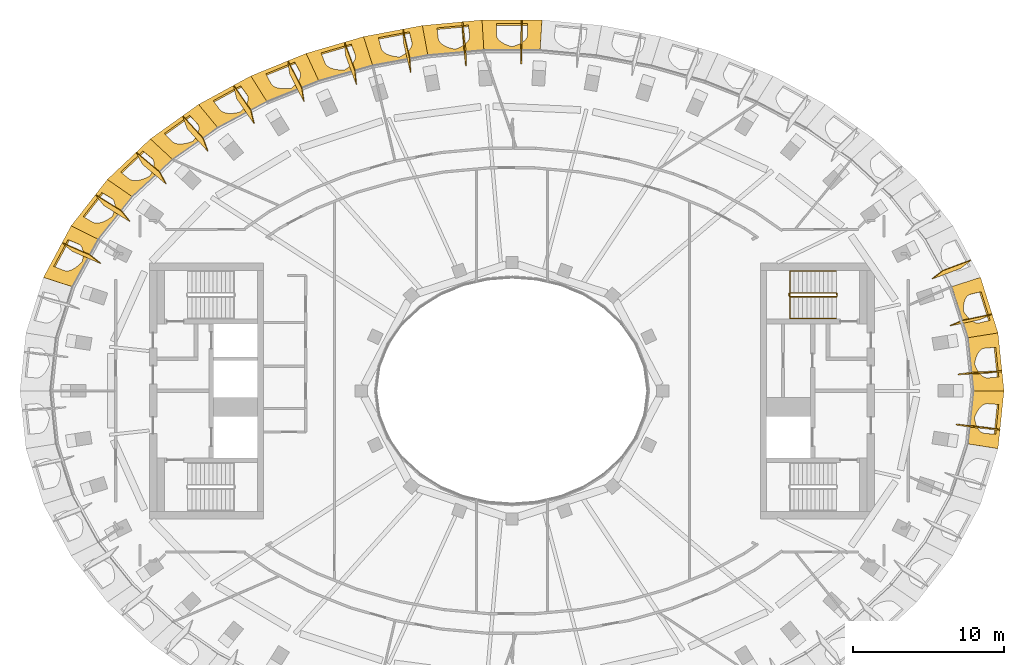
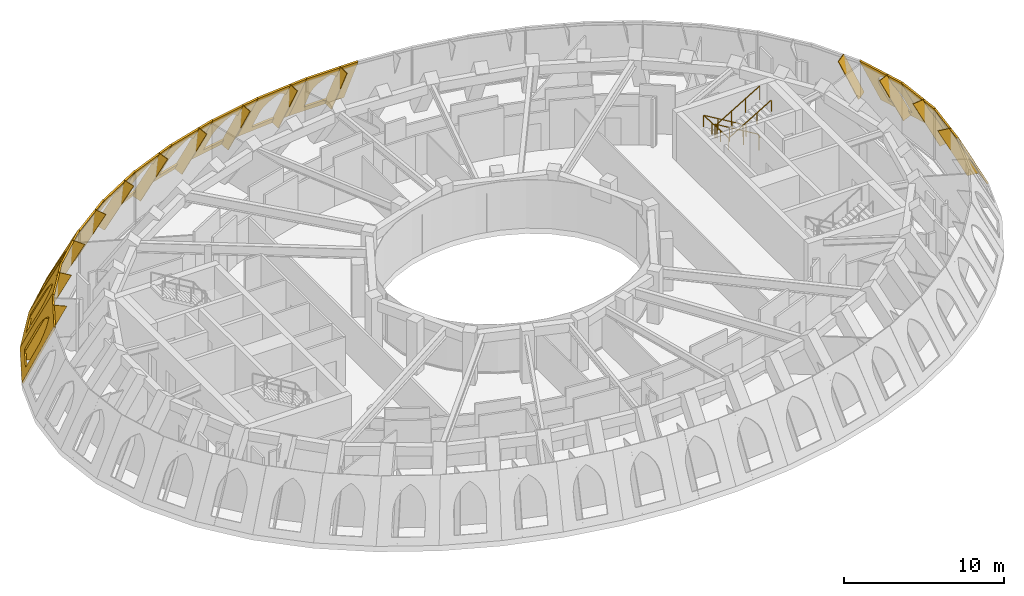
# One storey, part 12 of 13: 27 coverings, 2 railings.
"""IFC4 building model written with IfcOpenShell, lengths in metres."""

from ifc_helpers import new_model, si_unit, direction, frame, origin, origin_2d, place, context, subcontext, project, spatial, polyline, rectangle, outline, extrude, material, layer, layer_set, type_object, element, save


model = new_model("IFC4")

# Units and contexts
model_context = context("Model", 3, precision=1e-05, world=origin(), true_north=direction((0.0, 1.0)))
body_context = subcontext(model_context, "Body", "Model", "MODEL_VIEW")
ifc_project = project(units=[si_unit("LENGTHUNIT", "METRE"), si_unit("AREAUNIT", "SQUARE_METRE"), si_unit("VOLUMEUNIT", "CUBIC_METRE"), si_unit("PLANEANGLEUNIT", "RADIAN"), si_unit("MASSUNIT", "GRAM", prefix="KILO")], contexts=[model_context])

# Site, building, storey
site_placement = place(None, origin())
site = spatial("IfcSite", under=ifc_project, at=site_placement, CompositionType="ELEMENT")
building_placement = place(site_placement, origin())
building = spatial("IfcBuilding", under=site, at=building_placement, Name="Noorbagh Ring Tower", CompositionType="ELEMENT")
storey_placement = place(building_placement, frame((0.0, 0.0, 347.0)))
storey = spatial("IfcBuildingStorey", under=building, at=storey_placement, Name="L76", CompositionType="ELEMENT", Elevation=347.0)

# Railings
ifc_material_1 = material(Name="Stainless steel", Category="steel")
railing_type_1 = type_object("IfcRailingType", Name="CORE-STAIR-GUARD", PredefinedType="GUARDRAIL", material=ifc_material_1)
railing_1_placement = place(storey_placement, frame((21.580078125, 6.449951171875, 0.0)))
element("IfcRailing", 1, at=railing_1_placement, inside=storey, type_object=railing_type_1, Name="L76 ST3 stair guard", PredefinedType="GUARDRAIL", context=body_context, shape_type="SweptSolid", body=[
    extrude(rectangle(XDim=0.048095703125, YDim=0.048095703125, at=origin_2d()), frame((0.0, 0.0, 1.076171875), z_axis=(0.0, -1.0, 0.0), x_axis=(1.0, 0.0, 0.0)), (0.0, 0.0, 1.0), 0.14990234375),
    extrude(rectangle(XDim=0.048095703125, YDim=0.048095703125, at=origin_2d()), frame((0.0, -0.14990234375, 1.076171875), z_axis=(-0.188775798145, 0.754182335027, 0.628945707965), x_axis=(-0.970072785993, -0.242814311512, 0.0)), (0.0, 0.0, 1.0), 0.26513671875),
    extrude(rectangle(XDim=0.048095703125, YDim=0.048095703125, at=origin_2d()), frame((-0.050048828125, 0.050048828125, 1.24267578125), z_axis=(-0.859308565015, 0.0, 0.511457515432), x_axis=(0.0, -1.0, 0.0)), (0.0, 0.0, 1.0), 3.58447265625),
    extrude(rectangle(XDim=0.048095703125, YDim=0.048095703125, at=origin_2d()), frame((-3.130126953125, 0.050048828125, 3.076171875), z_axis=(-0.707106781187, -0.707106781187, 0.0), x_axis=(0.707106781187, -0.707106781187, 0.0)), (0.0, 0.0, 1.0), 0.07080078125),
    extrude(rectangle(XDim=0.048095703125, YDim=0.048095703125, at=origin_2d()), frame((-3.18017578125, 0.0, 3.076171875), z_axis=(0.0, -1.0, 0.0), x_axis=(1.0, 0.0, 0.0)), (0.0, 0.0, 1.0), 0.14990234375),
    extrude(rectangle(XDim=0.048095703125, YDim=0.048095703125, at=origin_2d()), frame((-3.18017578125, -0.14990234375, 3.076171875), z_axis=(0.27628659633, -0.27628659633, 0.920506074601), x_axis=(0.707106781187, 0.707106781187, 0.0)), (0.0, 0.0, 1.0), 0.18115234375),
    extrude(rectangle(XDim=0.048095703125, YDim=0.048095703125, at=origin_2d()), frame((-3.130126953125, -0.199951171875, 3.24267578125), z_axis=(0.859308565015, 0.0, 0.511457515432), x_axis=(0.0, 1.0, 0.0)), (0.0, 0.0, 1.0), 3.58447265625),
    extrude(rectangle(XDim=0.0419921875, YDim=0.0419921875, at=origin_2d()), origin(), (0.0, 0.0, 1.0), 1.052001953125),
    extrude(rectangle(XDim=0.0419921875, YDim=0.0419921875, at=origin_2d()), frame((-1.07666015625, 0.050048828125, 0.77783203125)), (0.0, 0.0, 1.0), 1.052001953125),
    extrude(rectangle(XDim=0.0419921875, YDim=0.0419921875, at=origin_2d()), frame((-2.103515625, 0.050048828125, 1.388916015625)), (0.0, 0.0, 1.0), 1.052001953125),
    extrude(rectangle(XDim=0.0419921875, YDim=0.0419921875, at=origin_2d()), frame((-3.130126953125, 0.050048828125, 2.0)), (0.0, 0.0, 1.0), 1.052001953125),
    extrude(rectangle(XDim=0.0419921875, YDim=0.0419921875, at=origin_2d()), frame((-3.130126953125, -0.199951171875, 2.166748046875)), (0.0, 0.0, 1.0), 1.052001953125),
    extrude(rectangle(XDim=0.0419921875, YDim=0.0419921875, at=origin_2d()), frame((-2.103515625, -0.199951171875, 2.77783203125)), (0.0, 0.0, 1.0), 1.052001953125),
    extrude(rectangle(XDim=0.0419921875, YDim=0.0419921875, at=origin_2d()), frame((-1.07666015625, -0.199951171875, 3.388916015625)), (0.0, 0.0, 1.0), 1.052001953125),
    extrude(rectangle(XDim=0.0419921875, YDim=0.0419921875, at=origin_2d()), frame((-0.050048828125, -0.199951171875, 4.0)), (0.0, 0.0, 1.0), 1.052001953125),
])
ifc_material_2 = material(Name="Stainless steel", Category="steel")
railing_type_2 = type_object("IfcRailingType", Name="CORE-STAIR-HANDRAIL", PredefinedType="HANDRAIL", material=ifc_material_2)
railing_2_placement = place(storey_placement, frame((21.530029296875, 7.949951171875, 0.166748046875)))
element("IfcRailing", 2, at=railing_2_placement, inside=storey, type_object=railing_type_2, Name="L76 ST3 stair handrail", PredefinedType="HANDRAIL", context=body_context, shape_type="SweptSolid", body=[
    extrude(rectangle(XDim=0.048095703125, YDim=0.048095703125, at=origin_2d()), frame((0.0, 0.0, 0.8759765625), z_axis=(-0.859308565015, 0.0, 0.511457515432), x_axis=(0.0, -1.0, 0.0)), (0.0, 0.0, 1.0), 3.58447265625),
    extrude(rectangle(XDim=0.048095703125, YDim=0.048095703125, at=origin_2d()), frame((-3.080078125, 0.0, 2.708984375), z_axis=(0.0, -0.998601747152, 0.052863509014), x_axis=(1.0, 0.0, 0.0)), (0.0, 0.0, 1.0), 3.154296875),
    extrude(rectangle(XDim=0.048095703125, YDim=0.048095703125, at=origin_2d()), frame((-3.080078125, -3.14990234375, 2.8759765625), z_axis=(0.859308565015, 0.0, 0.511457515432), x_axis=(0.0, 1.0, 0.0)), (0.0, 0.0, 1.0), 3.58447265625),
    extrude(rectangle(XDim=0.0419921875, YDim=0.0419921875, at=origin_2d()), origin(), (0.0, 0.0, 1.0), 0.851806640625),
    extrude(rectangle(XDim=0.0419921875, YDim=0.0419921875, at=origin_2d()), frame((-1.026611328125, 0.0, 0.611083984375)), (0.0, 0.0, 1.0), 0.851806640625),
    extrude(rectangle(XDim=0.0419921875, YDim=0.0419921875, at=origin_2d()), frame((-2.053466796875, 0.0, 1.22216796875)), (0.0, 0.0, 1.0), 0.851806640625),
    extrude(rectangle(XDim=0.0419921875, YDim=0.0419921875, at=origin_2d()), frame((-3.080078125, 0.0, 1.833251953125)), (0.0, 0.0, 1.0), 0.851806640625),
    extrude(rectangle(XDim=0.0419921875, YDim=0.0419921875, at=origin_2d()), frame((-3.080078125, -1.050048828125, 1.888916015625)), (0.0, 0.0, 1.0), 0.851806640625),
    extrude(rectangle(XDim=0.0419921875, YDim=0.0419921875, at=origin_2d()), frame((-3.080078125, -2.099853515625, 1.9443359375)), (0.0, 0.0, 1.0), 0.851806640625),
    extrude(rectangle(XDim=0.0419921875, YDim=0.0419921875, at=origin_2d()), frame((-3.080078125, -3.14990234375, 2.0)), (0.0, 0.0, 1.0), 0.851806640625),
    extrude(rectangle(XDim=0.0419921875, YDim=0.0419921875, at=origin_2d()), frame((-2.053466796875, -3.14990234375, 2.611083984375)), (0.0, 0.0, 1.0), 0.851806640625),
    extrude(rectangle(XDim=0.0419921875, YDim=0.0419921875, at=origin_2d()), frame((-1.026611328125, -3.14990234375, 3.22216796875)), (0.0, 0.0, 1.0), 0.851806640625),
    extrude(rectangle(XDim=0.0419921875, YDim=0.0419921875, at=origin_2d()), frame((0.0, -3.14990234375, 3.833251953125)), (0.0, 0.0, 1.0), 0.851806640625),
])

# Coverings
ifc_material_3 = material(Name="Aluminium 6063-T6 black anodised", Category="aluminium")
ifc_layer_1 = layer(ifc_material_3, 0.050048828125)
ifc_layer_set_1 = layer_set([ifc_layer_1], Name="Aluminium 6063-T6 black anodised")
covering_type_1 = type_object("IfcCoveringType", Name="STYLE-HEAD-FIN", PredefinedType="CLADDING", material=ifc_layer_set_1)
covering_1_placement = place(storey_placement, frame((32.52783203125, 1.279541015625, 0.0), z_axis=(0.128911329579, -0.99089570896, 0.038827349512), x_axis=(-0.448635865822, -0.023358188876, 0.89340934342)))
element("IfcCovering", 3, at=covering_1_placement, inside=storey, type_object=covering_type_1, Name="Fin rib F01 L76", ObjectType="FIN", PredefinedType="CLADDING", context=body_context, shape_type="SweptSolid", body=[
    extrude(outline(polyline([(0.0, 0.0), (4.478602590299864, 0.0), (4.881650097009732, 0.8045605100730973), (0.4030418040270383, 0.8045281394852348), (0.0, 0.0)])), origin(), (0.0, 0.0, -1.0), 0.050048828125),
])
covering_2_placement = place(storey_placement, frame((31.875244140625, 5.069091796875, 0.0), z_axis=(0.39159249421, -0.914930687955, 0.097760701289), x_axis=(-0.438846254761, -0.092323644473, 0.893806639802)))
element("IfcCovering", 4, at=covering_2_placement, inside=storey, type_object=covering_type_1, Name="Fin rib F02 L76", ObjectType="FIN", PredefinedType="CLADDING", context=body_context, shape_type="SweptSolid", body=[
    extrude(outline(polyline([(0.0, 0.0), (4.478506413757497, 0.0), (4.874287478667474, 0.8082416595063522), (0.3958036048622417, 0.8083375847722325), (0.0, 0.0)])), origin(), (0.0, 0.0, -1.0), 0.050048828125),
])
covering_3_placement = place(storey_placement, frame((30.488525390625, 8.670166015625, 0.0), z_axis=(0.604780825543, -0.782981166417, 0.145535721018), x_axis=(-0.419244163894, -0.157640928264, 0.894082584987)))
element("IfcCovering", 5, at=covering_3_placement, inside=storey, type_object=covering_type_1, Name="Fin rib F03 L76", ObjectType="FIN", PredefinedType="CLADDING", context=body_context, shape_type="SweptSolid", body=[
    extrude(outline(polyline([(0.0, 0.0), (4.478771237305574, 2.220446049250313e-16), (4.864049615591115, 0.8131934519856807), (0.38541921937249257, 0.8135056703559531), (0.0, 0.0)])), origin(), (0.0, 0.0, -1.0), 0.050048828125),
])
covering_4_placement = place(storey_placement, frame((0.6630859375, 24.61474609375, 0.0), z_axis=(0.999794258075, 0.012068586596, 0.01630308981), x_axis=(-0.009129706454, -0.449983821033, 0.892990038729)))
element("IfcCovering", 6, at=covering_4_placement, inside=storey, type_object=covering_type_1, Name="Fin rib F12 L76", ObjectType="FIN", PredefinedType="CLADDING", context=body_context, shape_type="SweptSolid", body=[
    extrude(outline(polyline([(0.0, 0.0), (4.479331025868299, 4.440892098500626e-16), (4.884284307378394, 0.8039850200484864), (0.40484119324654855, 0.8037714355999009), (0.0, 0.0)])), origin(), (0.0, 0.0, -1.0), 0.050048828125),
])
covering_5_placement = place(storey_placement, frame((-3.310302734375, 24.492431640625, 0.0), z_axis=(-0.99887915468, -0.03145222094, 0.035372194491), x_axis=(0.045727503441, -0.448227638019, 0.892749113662)))
element("IfcCovering", 7, at=covering_5_placement, inside=storey, type_object=covering_type_1, Name="Fin rib F13 L76", ObjectType="FIN", PredefinedType="CLADDING", context=body_context, shape_type="SweptSolid", body=[
    extrude(outline(polyline([(0.0, 0.0), (4.4794482305285666, 2.220446049250313e-16), (4.883885488551667, -0.8038521009772928), (0.4044372580231002, -0.8038521009772928), (0.0, 0.0)])), origin(), (0.0, 0.0, -1.0), 0.050048828125),
])
covering_6_placement = place(storey_placement, frame((-7.25341796875, 24.001953125, 0.0), z_axis=(-0.994857634724, -0.056764054691, 0.08388163522), x_axis=(0.100340260935, -0.439629071024, 0.892557063692)))
element("IfcCovering", 8, at=covering_6_placement, inside=storey, type_object=covering_type_1, Name="Fin rib F14 L76", ObjectType="FIN", PredefinedType="CLADDING", context=body_context, shape_type="SweptSolid", body=[
    extrude(outline(polyline([(0.0, 0.0), (4.479318599188797, -2.220446049250313e-16), (4.879549572146292, -0.8062706892033966), (0.4001236416413265, -0.8060518454742934), (0.0, 0.0)])), origin(), (0.0, 0.0, -1.0), 0.050048828125),
])
covering_7_placement = place(storey_placement, frame((-11.127685546875, 23.139404296875, 0.0), z_axis=(-0.98757757487, -0.094734243454, 0.125363298976), x_axis=(0.153973289963, -0.424265000553, 0.892351632084)))
element("IfcCovering", 9, at=covering_7_placement, inside=storey, type_object=covering_type_1, Name="Fin rib F15 L76", ObjectType="FIN", PredefinedType="CLADDING", context=body_context, shape_type="SweptSolid", body=[
    extrude(outline(polyline([(0.0, 0.0), (4.479256403548876, -4.440892098500626e-16), (4.872628266365542, -0.8096004146070606), (0.3932682824942653, -0.8093805491138155), (0.0, 0.0)])), origin(), (0.0, 0.0, -1.0), 0.050048828125),
])
covering_8_placement = place(storey_placement, frame((-14.890380859375, 21.898193359375, 0.0), z_axis=(-0.975918653628, -0.150800659254, 0.15761326933), x_axis=(0.20618652138, -0.401862314945, 0.892184845325)))
element("IfcCovering", 10, at=covering_8_placement, inside=storey, type_object=covering_type_1, Name="Fin rib F16 L76", ObjectType="FIN", PredefinedType="CLADDING", context=body_context, shape_type="SweptSolid", body=[
    extrude(outline(polyline([(0.0, 0.0), (4.479274460840103, 0.0), (4.865131220409407, -0.8133152695921884), (0.3857586486525693, -0.8130947623742283), (0.0, 0.0)])), origin(), (0.0, 0.0, -1.0), 0.050048828125),
])
covering_9_placement = place(storey_placement, frame((-18.4921875, 20.27001953125, 0.0), z_axis=(-0.956578102662, -0.230336747376, 0.178614994656), x_axis=(0.256223685343, -0.372371882209, 0.892013791603)))
element("IfcCovering", 11, at=covering_9_placement, inside=storey, type_object=covering_type_1, Name="Fin rib F17 L76", ObjectType="FIN", PredefinedType="CLADDING", context=body_context, shape_type="SweptSolid", body=[
    extrude(outline(polyline([(0.0, 0.0), (4.479309071635422, 0.0), (4.859119097584525, -0.815941809121989), (0.37981002594910324, -0.815941809121989), (0.0, 0.0)])), origin(), (0.0, 0.0, -1.0), 0.050048828125),
])
covering_10_placement = place(storey_placement, frame((-21.873046875, 18.24609375, 0.0), z_axis=(-0.923060806857, -0.335840134808, 0.187537064862), x_axis=(0.30323966051, -0.335386880163, 0.891942458295)))
element("IfcCovering", 12, at=covering_10_placement, inside=storey, type_object=covering_type_1, Name="Fin rib F18 L76", ObjectType="FIN", PredefinedType="CLADDING", context=body_context, shape_type="SweptSolid", body=[
    extrude(outline(polyline([(0.0, 0.0), (4.479152180725248, 0.0), (4.856153526429778, -0.8173891802470643), (0.37699349726223136, -0.8172320676501966), (0.0, 0.0)])), origin(), (0.0, 0.0, -1.0), 0.050048828125),
])
covering_11_placement = place(storey_placement, frame((-24.959228515625, 15.822265625, 0.0), z_axis=(-0.865058181165, -0.466928753151, 0.183444494821), x_axis=(0.346195063704, -0.290976106134, 0.891897910933)))
element("IfcCovering", 13, at=covering_11_placement, inside=storey, type_object=covering_type_1, Name="Fin rib F19 L76", ObjectType="FIN", PredefinedType="CLADDING", context=body_context, shape_type="SweptSolid", body=[
    extrude(outline(polyline([(0.0, 0.0), (4.4787961237323985, 0.0), (4.8572419354619, -0.816564935036661), (0.3784458117295014, -0.816564935036661), (0.0, 0.0)])), origin(), (0.0, 0.0, -1.0), 0.050048828125),
])
covering_12_placement = place(storey_placement, frame((-27.661865234375, 13.0029296875, 0.0), z_axis=(-0.76886740061, -0.617715667366, 0.165137138676), x_axis=(0.383700121487, -0.23913800724, 0.891956966599)))
element("IfcCovering", 14, at=covering_12_placement, inside=storey, type_object=covering_type_1, Name="Fin rib F20 L76", ObjectType="FIN", PredefinedType="CLADDING", context=body_context, shape_type="SweptSolid", body=[
    extrude(outline(polyline([(0.0, 0.0), (4.478773300137972, -2.220446049250313e-16), (4.862866613937064, -0.8139903760459031), (0.384093313799092, -0.8139903760459033), (0.0, 0.0)])), origin(), (0.0, 0.0, -1.0), 0.050048828125),
])
covering_13_placement = place(storey_placement, frame((-29.875732421875, 9.810791015625, 0.0), z_axis=(-0.620317178651, -0.773211310913, 0.131722688045), x_axis=(0.414176474169, -0.180290687805, 0.892162045895)))
element("IfcCovering", 15, at=covering_13_placement, inside=storey, type_object=covering_type_1, Name="Fin rib F21 L76", ObjectType="FIN", PredefinedType="CLADDING", context=body_context, shape_type="SweptSolid", body=[
    extrude(outline(polyline([(0.0, 0.0), (4.478578661725208, 0.0), (4.87083646934287, -0.8099593856959779), (0.3922137913364603, -0.8098109531076696), (0.0, 0.0)])), origin(), (0.0, 0.0, -1.0), 0.050048828125),
])
covering_14_placement = place(storey_placement, frame((32.395263671875, -2.55908203125, 0.0), z_axis=(0.152266223967, 0.988035595767, 0.024508336039), x_axis=(-0.447786422515, 0.046859612406, 0.892911807815)))
element("IfcCovering", 16, at=covering_14_placement, inside=storey, type_object=covering_type_1, Name="Fin rib F46 L76", ObjectType="FIN", PredefinedType="CLADDING", context=body_context, shape_type="SweptSolid", body=[
    extrude(outline(polyline([(0.0, 0.0), (4.478362446729819, 2.220446049250313e-16), (4.883055083301, -0.8037970037599129), (0.4047905190931795, -0.8039762384741336), (0.0, 0.0)])), origin(), (0.0, 0.0, -1.0), 0.050048828125),
])
ifc_material_4 = material(Name="Red sandstone jali", Category="masonry")
ifc_layer_2 = layer(ifc_material_4, 0.1201171875)
ifc_layer_set_2 = layer_set([ifc_layer_2], Name="Red sandstone jali")
covering_type_2 = type_object("IfcCoveringType", Name="STYLE-HEAD-SKIN", PredefinedType="CLADDING", material=ifc_layer_set_2)
covering_15_placement = place(storey_placement, frame((32.66064453125, 0.0, 0.0), z_axis=(0.888871989762, 0.092205292931, 0.448781427615), x_axis=(-0.103178063851, 0.994662901256, -2.436069e-06)))
element("IfcCovering", 17, at=covering_15_placement, inside=storey, type_object=covering_type_2, Name="Head skin panel", ObjectType="HEAD SKIN", PredefinedType="CLADDING", context=body_context, shape_type="SweptSolid", body=[
    extrude(outline(polyline([(0.0, 0.0), (3.859375, 0.0), (3.752685546875, 4.47607421875), (0.208251953125, 4.47607421875), (0.0, 0.0)]), holes=[polyline([(0.943603515625, 0.550048828125), (0.96240234375, 2.207275390625), (0.982421875, 2.46630859375), (1.035888671875, 2.720947265625), (1.1220703125, 2.966796875), (1.239501953125, 3.19970703125), (1.38623046875, 3.41552734375), (1.5595703125, 3.610595703125), (1.756591796875, 3.781982421875), (1.97412109375, 3.926025390625), (2.1884765625, 3.781982421875), (2.381591796875, 3.610595703125), (2.550537109375, 3.41552734375), (2.6923828125, 3.19970703125), (2.8046875, 2.966796875), (2.88525390625, 2.720947265625), (2.93310546875, 2.46630859375), (2.947021484375, 2.207275390625), (2.92822265625, 0.550048828125), (0.943603515625, 0.550048828125)])]), origin(), (0.0, 0.0, -1.0), 0.1201171875),
])
covering_16_placement = place(storey_placement, frame((32.262451171875, 3.8388671875, 0.0), z_axis=(0.853413929482, 0.268562794361, 0.446719923947), x_axis=(-0.300180822224, 0.953882316621, 2.674172e-06)))
element("IfcCovering", 18, at=covering_16_placement, inside=storey, type_object=covering_type_2, Name="Head skin panel", ObjectType="HEAD SKIN", PredefinedType="CLADDING", context=body_context, shape_type="SweptSolid", body=[
    extrude(outline(polyline([(0.0, 0.0), (3.868896484375, 0.0), (3.85791015625, 4.470947265625), (0.298828125, 4.470947265625), (0.0, 0.0)]), holes=[polyline([(0.95556640625, 0.550048828125), (1.008544921875, 2.19482421875), (1.033935546875, 2.455078125), (1.09326171875, 2.710693359375), (1.184814453125, 2.957763671875), (1.3076171875, 3.19140625), (1.459716796875, 3.408203125), (1.6376953125, 3.604248046875), (1.83935546875, 3.776123046875), (2.060791015625, 3.9208984375), (2.27294921875, 3.776123046875), (2.46337890625, 3.604248046875), (2.62890625, 3.408203125), (2.766845703125, 3.19140625), (2.87451171875, 2.957763671875), (2.950439453125, 2.710693359375), (2.992919921875, 2.455078125), (3.001708984375, 2.19482421875), (2.94873046875, 0.550048828125), (0.95556640625, 0.550048828125)])]), origin(), (0.0, 0.0, -1.0), 0.1201171875),
])
covering_17_placement = place(storey_placement, frame((1.98974609375, 24.61474609375, 0.0), z_axis=(0.0, 0.893027481887, 0.450002129545), x_axis=(-1.0, 0.0, 0.0)))
element("IfcCovering", 19, at=covering_17_placement, inside=storey, type_object=covering_type_2, Name="Head skin panel", ObjectType="HEAD SKIN", PredefinedType="CLADDING", context=body_context, shape_type="SweptSolid", body=[
    extrude(outline(polyline([(0.0, 0.0), (3.9794921875, 0.0), (3.8564453125, 4.479248046875), (0.123046875, 4.479248046875), (0.0, 0.0)]), holes=[polyline([(0.9443359375, 0.550048828125), (0.9443359375, 2.11865234375), (0.96240234375, 2.3916015625), (1.015625, 2.659912109375), (1.103515625, 2.918701171875), (1.224609375, 3.1640625), (1.37646484375, 3.391357421875), (1.556640625, 3.596923828125), (1.76220703125, 3.77734375), (1.98974609375, 3.92919921875), (2.217041015625, 3.77734375), (2.422607421875, 3.596923828125), (2.60302734375, 3.391357421875), (2.7548828125, 3.1640625), (2.8759765625, 2.918701171875), (2.9638671875, 2.659912109375), (3.01708984375, 2.3916015625), (3.03515625, 2.11865234375), (3.03515625, 0.550048828125), (0.9443359375, 0.550048828125)])]), origin(), (0.0, 0.0, -1.0), 0.1201171875),
])
covering_18_placement = place(storey_placement, frame((-1.98974609375, 24.61474609375, 0.0), z_axis=(-0.082376912691, 0.888958269208, 0.450518856279), x_axis=(-0.995734587866, -0.092263916576, -1.502627e-05)))
element("IfcCovering", 20, at=covering_18_placement, inside=storey, type_object=covering_type_2, Name="Head skin panel", ObjectType="HEAD SKIN", PredefinedType="CLADDING", context=body_context, shape_type="SweptSolid", body=[
    extrude(outline(polyline([(0.0, 0.0), (3.978271484375, 0.0), (3.795166015625, 4.48046875), (0.0634765625, 4.48046875), (0.0, 0.0)]), holes=[polyline([(0.93701171875, 0.550048828125), (0.916015625, 2.12060546875), (0.93017578125, 2.3935546875), (0.97998046875, 2.66162109375), (1.064453125, 2.92041015625), (1.181884765625, 3.16552734375), (1.330810546875, 3.392822265625), (1.50830078125, 3.598388671875), (1.71142578125, 3.77880859375), (1.936767578125, 3.930419921875), (2.166015625, 3.77880859375), (2.373779296875, 3.598388671875), (2.556884765625, 3.392822265625), (2.7119140625, 3.16552734375), (2.8359375, 2.92041015625), (2.92724609375, 2.66162109375), (2.984130859375, 2.3935546875), (3.005859375, 2.12060546875), (3.026611328125, 0.550048828125), (0.93701171875, 0.550048828125)])]), origin(), (0.0, 0.0, -1.0), 0.1201171875),
])
covering_19_placement = place(storey_placement, frame((-5.951171875, 24.247802734375, 0.0), z_axis=(-0.165566158357, 0.877180882396, 0.450712266048), x_axis=(-0.982649266081, -0.185473501802, 7.67618e-07)))
element("IfcCovering", 21, at=covering_19_placement, inside=storey, type_object=covering_type_2, Name="Head skin panel", ObjectType="HEAD SKIN", PredefinedType="CLADDING", context=body_context, shape_type="SweptSolid", body=[
    extrude(outline(polyline([(0.0, 0.0), (3.975341796875, 0.0), (3.7333984375, 4.48095703125), (0.0068359375, 4.48095703125), (0.0, 0.0)]), holes=[polyline([(0.9296875, 0.550048828125), (0.888427734375, 2.12353515625), (0.899169921875, 2.39599609375), (0.9453125, 2.663818359375), (1.0263671875, 2.92236328125), (1.140625, 3.1669921875), (1.286376953125, 3.39404296875), (1.4609375, 3.599365234375), (1.661376953125, 3.779296875), (1.884521484375, 3.930908203125), (2.115478515625, 3.779296875), (2.3251953125, 3.599365234375), (2.5107421875, 3.39404296875), (2.668212890625, 3.1669921875), (2.79541015625, 2.92236328125), (2.889892578125, 2.663818359375), (2.9501953125, 2.39599609375), (2.975341796875, 2.12353515625), (3.0166015625, 0.550048828125), (0.9296875, 0.550048828125)])]), origin(), (0.0, 0.0, -1.0), 0.1201171875),
])
covering_20_placement = place(storey_placement, frame((-9.857421875, 23.510498046875, 0.0), z_axis=(-0.250335846728, 0.856897051797, 0.450621134064), x_axis=(-0.95987875686, -0.280415356225, -1.1027728e-05)))
element("IfcCovering", 22, at=covering_20_placement, inside=storey, type_object=covering_type_2, Name="Head skin panel", ObjectType="HEAD SKIN", PredefinedType="CLADDING", context=body_context, shape_type="SweptSolid", body=[
    extrude(outline(polyline([(0.0, 0.0), (3.969482421875, 0.0), (3.6728515625, 4.480712890625), (-0.04541015625, 4.480712890625), (0.0, 0.0)]), holes=[polyline([(0.9228515625, 0.550048828125), (0.862548828125, 2.127685546875), (0.8701171875, 2.3994140625), (0.9130859375, 2.66650390625), (0.99072265625, 2.92431640625), (1.101806640625, 3.168701171875), (1.244384765625, 3.39501953125), (1.416259765625, 3.599853515625), (1.6142578125, 3.779296875), (1.8349609375, 3.930908203125), (2.067138671875, 3.779296875), (2.27880859375, 3.599853515625), (2.466064453125, 3.39501953125), (2.6259765625, 3.168701171875), (2.755859375, 2.92431640625), (2.853271484375, 2.66650390625), (2.91650390625, 2.3994140625), (2.944580078125, 2.127685546875), (3.0048828125, 0.550048828125), (0.9228515625, 0.550048828125)])]), origin(), (0.0, 0.0, -1.0), 0.1201171875),
])
covering_21_placement = place(storey_placement, frame((-13.667724609375, 22.3974609375, 0.0), z_axis=(-0.337459273194, 0.826618856562, 0.450358196231), x_axis=(-0.925820029422, -0.377964645086, 1.3652476e-05)))
element("IfcCovering", 23, at=covering_21_placement, inside=storey, type_object=covering_type_2, Name="Head skin panel", ObjectType="HEAD SKIN", PredefinedType="CLADDING", context=body_context, shape_type="SweptSolid", body=[
    extrude(outline(polyline([(0.0, 0.0), (3.9619140625, 0.0), (3.61669921875, 4.47998046875), (-0.0888671875, 4.480224609375), (0.0, 0.0)]), holes=[polyline([(0.91650390625, 0.550048828125), (0.83984375, 2.133056640625), (0.844482421875, 2.40380859375), (0.884521484375, 2.670166015625), (0.959228515625, 2.927001953125), (1.0673828125, 3.170654296875), (1.20751953125, 3.396240234375), (1.37646484375, 3.600341796875), (1.57177734375, 3.779296875), (1.790283203125, 3.93017578125), (2.023193359375, 3.779296875), (2.236083984375, 3.600341796875), (2.4248046875, 3.396240234375), (2.586669921875, 3.170654296875), (2.718505859375, 2.927001953125), (2.818115234375, 2.670166015625), (2.884033203125, 2.40380859375), (2.914794921875, 2.133056640625), (2.99169921875, 0.550048828125), (0.91650390625, 0.550048828125)])]), origin(), (0.0, 0.0, -1.0), 0.1201171875),
])
covering_22_placement = place(storey_placement, frame((-17.335693359375, 20.89990234375, 0.0), z_axis=(-0.427234031022, 0.784180344564, 0.450035854056), x_axis=(-0.878136036799, -0.478411016248, -2.0183333e-05)))
element("IfcCovering", 24, at=covering_22_placement, inside=storey, type_object=covering_type_2, Name="Head skin panel", ObjectType="HEAD SKIN", PredefinedType="CLADDING", context=body_context, shape_type="SweptSolid", body=[
    extrude(outline(polyline([(0.0, 0.0), (3.951171875, 0.0), (3.566162109375, 4.479248046875), (-0.12255859375, 4.479248046875), (0.0, 0.0)]), holes=[polyline([(0.91162109375, 0.550048828125), (0.821533203125, 2.140380859375), (0.823974609375, 2.409912109375), (0.86181640625, 2.675048828125), (0.93408203125, 2.930908203125), (1.039794921875, 3.173095703125), (1.17724609375, 3.39794921875), (1.343994140625, 3.60107421875), (1.537109375, 3.779296875), (1.753173828125, 3.92919921875), (1.986328125, 3.779296875), (2.199462890625, 3.60107421875), (2.38916015625, 3.39794921875), (2.552001953125, 3.173095703125), (2.685302734375, 2.930908203125), (2.78662109375, 2.675048828125), (2.854248046875, 2.409912109375), (2.88720703125, 2.140380859375), (2.977294921875, 0.550048828125), (0.91162109375, 0.550048828125)])]), origin(), (0.0, 0.0, -1.0), 0.1201171875),
])
covering_23_placement = place(storey_placement, frame((-20.805419921875, 19.009765625, 0.0), z_axis=(-0.519503724854, 0.726473779475, 0.449835222719), x_axis=(-0.813415513616, -0.58168307701, 1.1369128e-05)))
element("IfcCovering", 25, at=covering_23_placement, inside=storey, type_object=covering_type_2, Name="Head skin panel", ObjectType="HEAD SKIN", PredefinedType="CLADDING", context=body_context, shape_type="SweptSolid", body=[
    extrude(outline(polyline([(0.0, 0.0), (3.937744140625, 0.0), (3.52685546875, 4.478759765625), (-0.140869140625, 4.478759765625), (0.0, 0.0)]), holes=[polyline([(0.907958984375, 0.550048828125), (0.809326171875, 2.14990234375), (0.810546875, 2.418212890625), (0.8466796875, 2.681640625), (0.917236328125, 2.93603515625), (1.021240234375, 3.177001953125), (1.15673828125, 3.400390625), (1.321533203125, 3.602294921875), (1.5126953125, 3.779541015625), (1.726806640625, 3.9287109375), (1.95947265625, 3.779541015625), (2.17236328125, 3.602294921875), (2.36181640625, 3.400390625), (2.52490234375, 3.177001953125), (2.65869140625, 2.93603515625), (2.760498046875, 2.681640625), (2.8291015625, 2.418212890625), (2.86328125, 2.14990234375), (2.9619140625, 0.550048828125), (0.907958984375, 0.550048828125)])]), origin(), (0.0, 0.0, -1.0), 0.1201171875),
])
covering_24_placement = place(storey_placement, frame((-24.00830078125, 16.71923828125, 0.0), z_axis=(-0.612803598172, 0.649702111939, 0.449843212475), x_axis=(-0.72746470213, -0.686145106452, -6.807371e-06)))
element("IfcCovering", 26, at=covering_24_placement, inside=storey, type_object=covering_type_2, Name="Head skin panel", ObjectType="HEAD SKIN", PredefinedType="CLADDING", context=body_context, shape_type="SweptSolid", body=[
    extrude(outline(polyline([(0.0, 0.0), (3.92138671875, 0.0), (3.501708984375, 4.478759765625), (-0.140625, 4.478759765625), (0.0, 0.0)]), holes=[polyline([(0.906494140625, 0.550048828125), (0.8056640625, 2.162353515625), (0.806396484375, 2.4287109375), (0.84228515625, 2.690185546875), (0.912109375, 2.94287109375), (1.01513671875, 3.18212890625), (1.1494140625, 3.404052734375), (1.31298828125, 3.6044921875), (1.50244140625, 3.780517578125), (1.715087890625, 3.9287109375), (1.946044921875, 3.780517578125), (2.15771484375, 3.6044921875), (2.34619140625, 3.404052734375), (2.50830078125, 3.18212890625), (2.641357421875, 2.94287109375), (2.742919921875, 2.690185546875), (2.811279296875, 2.4287109375), (2.845458984375, 2.162353515625), (2.9462890625, 0.550048828125), (0.906494140625, 0.550048828125)])]), origin(), (0.0, 0.0, -1.0), 0.1201171875),
])
covering_25_placement = place(storey_placement, frame((-26.861083984375, 14.028564453125, 0.0), z_axis=(-0.703881454191, 0.549503169039, 0.450107948899), x_axis=(-0.61536403836, -0.788243046455, -2.848601e-06)))
element("IfcCovering", 27, at=covering_25_placement, inside=storey, type_object=covering_type_2, Name="Head skin panel", ObjectType="HEAD SKIN", PredefinedType="CLADDING", context=body_context, shape_type="SweptSolid", body=[
    extrude(outline(polyline([(0.0, 0.0), (3.903564453125, 0.0), (3.4970703125, 4.4794921875), (-0.116455078125, 4.4794921875), (0.0, 0.0)]), holes=[polyline([(0.90771484375, 0.550048828125), (0.812744140625, 2.177001953125), (0.814697265625, 2.441162109375), (0.851318359375, 2.70068359375), (0.921630859375, 2.951416015625), (1.02490234375, 3.188720703125), (1.1591796875, 3.408935546875), (1.322021484375, 3.60791015625), (1.5107421875, 3.782470703125), (1.722412109375, 3.929443359375), (1.950927734375, 3.782470703125), (2.16015625, 3.60791015625), (2.34619140625, 3.408935546875), (2.506103515625, 3.188720703125), (2.63720703125, 2.951416015625), (2.73681640625, 2.70068359375), (2.8037109375, 2.441162109375), (2.83642578125, 2.177001953125), (2.931396484375, 0.550048828125), (0.90771484375, 0.550048828125)])]), origin(), (0.0, 0.0, -1.0), 0.1201171875),
])
covering_26_placement = place(storey_placement, frame((-29.26318359375, 10.95166015625, 0.0), z_axis=(-0.786518933307, 0.42239898485, 0.450518662373), x_axis=(-0.473131170599, -0.880991995053, 7.770504e-06)))
element("IfcCovering", 28, at=covering_26_placement, inside=storey, type_object=covering_type_2, Name="Head skin panel", ObjectType="HEAD SKIN", PredefinedType="CLADDING", context=body_context, shape_type="SweptSolid", body=[
    extrude(outline(polyline([(0.0, 0.0), (3.884521484375, 0.0), (3.51806640625, 4.48046875), (-0.06591796875, 4.48046875), (0.0, 0.0)]), holes=[polyline([(0.912353515625, 0.550048828125), (0.8330078125, 2.192138671875), (0.83740234375, 2.4541015625), (0.876220703125, 2.711669921875), (0.94873046875, 2.96044921875), (1.053466796875, 3.19580078125), (1.188720703125, 3.4140625), (1.352294921875, 3.611572265625), (1.54150390625, 3.78466796875), (1.752685546875, 3.930419921875), (1.97802734375, 3.78466796875), (2.183837890625, 3.611572265625), (2.366455078125, 3.4140625), (2.522705078125, 3.19580078125), (2.650390625, 2.96044921875), (2.74658203125, 2.711669921875), (2.810302734375, 2.4541015625), (2.840087890625, 2.192138671875), (2.91943359375, 0.550048828125), (0.912353515625, 0.550048828125)])]), origin(), (0.0, 0.0, -1.0), 0.1201171875),
])
covering_27_placement = place(storey_placement, frame((32.262451171875, -3.8388671875, 0.0), z_axis=(0.888162791936, -0.092105334787, 0.450203800877), x_axis=(0.103154741778, 0.994665320176, -9.376072e-06)))
element("IfcCovering", 29, at=covering_27_placement, inside=storey, type_object=covering_type_2, Name="Head skin panel", ObjectType="HEAD SKIN", PredefinedType="CLADDING", context=body_context, shape_type="SweptSolid", body=[
    extrude(outline(polyline([(0.0, 0.0), (3.859375, 0.0), (3.65087890625, 4.479736328125), (0.10693359375, 4.479736328125), (0.0, 0.0)]), holes=[polyline([(0.93115234375, 0.550048828125), (0.912353515625, 2.2109375), (0.926513671875, 2.469970703125), (0.97412109375, 2.724609375), (1.0546875, 2.970458984375), (1.1669921875, 3.203125), (1.308837890625, 3.419189453125), (1.477783203125, 3.6142578125), (1.6708984375, 3.785400390625), (1.88525390625, 3.9296875), (2.102783203125, 3.785400390625), (2.2998046875, 3.6142578125), (2.47314453125, 3.419189453125), (2.619873046875, 3.203125), (2.7373046875, 2.970458984375), (2.823486328125, 2.724609375), (2.877197265625, 2.469970703125), (2.89697265625, 2.2109375), (2.915771484375, 0.550048828125), (0.93115234375, 0.550048828125)])]), origin(), (0.0, 0.0, -1.0), 0.1201171875),
])

save(model, "model.ifc")
